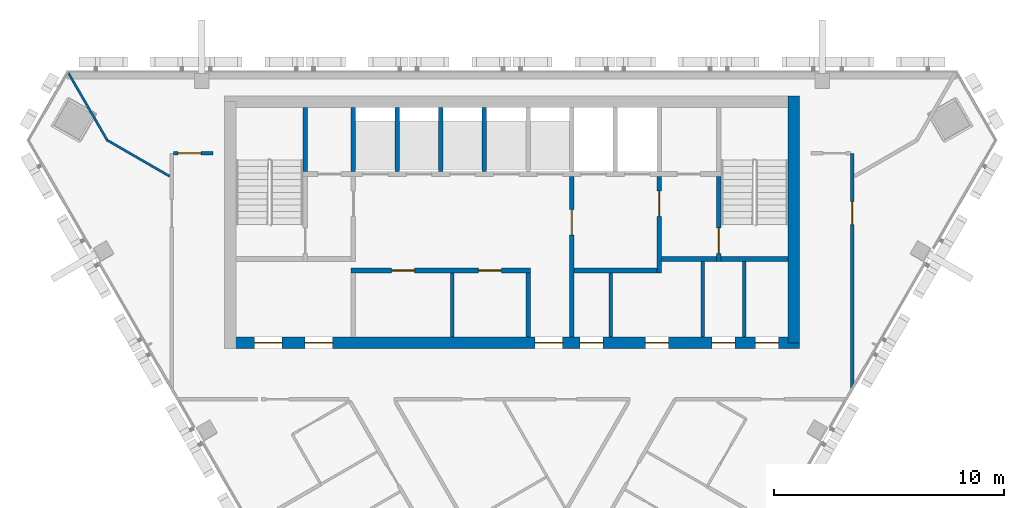
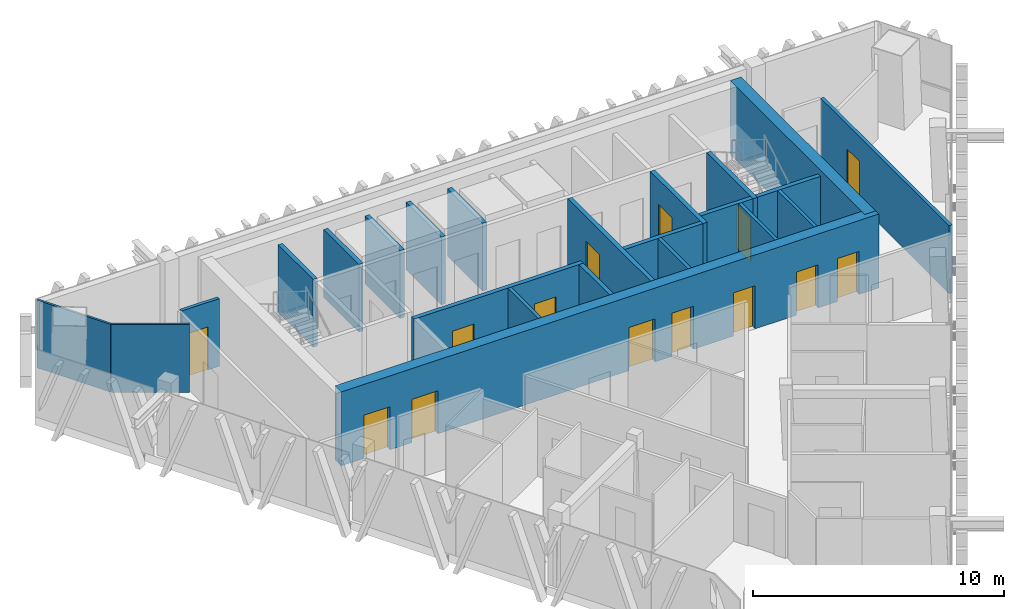
# One storey, part 7 of 12: 23 walls, 14 doors, 14 openings.
"""IFC4 building model written with IfcOpenShell, lengths in metres."""

from ifc_helpers import new_model, si_unit, direction, frame, frame_2d, origin, place, context, subcontext, project, spatial, rectangle, extrude, material, layer, layer_set, type_object, element, fill, save


model = new_model("IFC4")

# Units and contexts
model_context = context("Model", 3, precision=1e-05, world=origin(), true_north=direction((0.0, 1.0)))
body_context = subcontext(model_context, "Body", "Model", "MODEL_VIEW")
ifc_project = project(units=[si_unit("LENGTHUNIT", "METRE"), si_unit("AREAUNIT", "SQUARE_METRE"), si_unit("VOLUMEUNIT", "CUBIC_METRE"), si_unit("PLANEANGLEUNIT", "RADIAN"), si_unit("MASSUNIT", "GRAM", prefix="KILO")], contexts=[model_context])

# Site, building, storey
site_placement = place(None, origin())
site = spatial("IfcSite", under=ifc_project, at=site_placement, CompositionType="ELEMENT")
building_placement = place(site_placement, origin())
building = spatial("IfcBuilding", under=site, at=building_placement, Name="Altiplano Prism Tower", CompositionType="ELEMENT")
storey_placement = place(building_placement, frame((0.0, 0.0, 331.0)))
storey = spatial("IfcBuildingStorey", under=building, at=storey_placement, Name="L86", CompositionType="ELEMENT", Elevation=331.0)

# Wall, openings, doors
ifc_material_1 = material(Name="Concrete C60/75", Category="concrete")
ifc_layer_1 = layer(ifc_material_1, 0.5)
ifc_layer_set_1 = layer_set([ifc_layer_1], Name="Concrete C60/75")
wall_type_1 = type_object("IfcWallType", Name="Core wall 500", PredefinedType="SHEAR", material=ifc_layer_set_1)
wall_1_placement = place(storey_placement, frame((72.75, 93.14990234375, 0.0), z_axis=(0.0, 0.0, 1.0), x_axis=(1.0, 0.0, 0.0)))
wall_1 = element("IfcWall", 1, at=wall_1_placement, inside=storey, type_object=wall_type_1, Name="Core wall S L86", PredefinedType="SHEAR", context=body_context, shape_type="SweptSolid", body=[
    extrude(rectangle(XDim=24.75, YDim=0.5, at=frame_2d((12.375, 0.0))), origin(), (0.0, 0.0, 1.0), 3.60009765625),
])
opening_1_placement = place(wall_1_placement, frame((1.050048828125, 0.0, 0.0)))
opening_1 = element("IfcOpeningElement", 2, at=opening_1_placement, cuts=wall_1, Name="Opening D3805", PredefinedType="OPENING", context=body_context, shape_type="SweptSolid", body=[
    extrude(rectangle(XDim=1.199951171875, YDim=2.10009765625, at=frame_2d((0.60009765625, 1.050048828125))), frame((0.0, 0.260498046875, 0.0), z_axis=(0.0, -1.0, 0.0), x_axis=(1.0, 0.0, 0.0)), (0.0, 0.0, 1.0), 0.52099609375),
])
opening_2_placement = place(wall_1_placement, frame((3.25, 0.0, 0.0)))
opening_2 = element("IfcOpeningElement", 3, at=opening_2_placement, cuts=wall_1, Name="Opening D3806", PredefinedType="OPENING", context=body_context, shape_type="SweptSolid", body=[
    extrude(rectangle(XDim=1.199951171875, YDim=2.10009765625, at=frame_2d((0.60009765625, 1.050048828125))), frame((0.0, 0.260498046875, 0.0), z_axis=(0.0, -1.0, 0.0), x_axis=(1.0, 0.0, 0.0)), (0.0, 0.0, 1.0), 0.52099609375),
])
opening_3_placement = place(wall_1_placement, frame((13.25, 0.0, 0.0)))
opening_3 = element("IfcOpeningElement", 4, at=opening_3_placement, cuts=wall_1, Name="Opening D3807", PredefinedType="OPENING", context=body_context, shape_type="SweptSolid", body=[
    extrude(rectangle(XDim=1.199951171875, YDim=2.10009765625, at=frame_2d((0.60009765625, 1.050048828125))), frame((0.0, 0.260498046875, 0.0), z_axis=(0.0, -1.0, 0.0), x_axis=(1.0, 0.0, 0.0)), (0.0, 0.0, 1.0), 0.52099609375),
])
opening_4_placement = place(wall_1_placement, frame((15.21240234375, 0.0, 0.0)))
opening_4 = element("IfcOpeningElement", 5, at=opening_4_placement, cuts=wall_1, Name="Opening D3810", PredefinedType="OPENING", context=body_context, shape_type="SweptSolid", body=[
    extrude(rectangle(XDim=1.0, YDim=2.10009765625, at=frame_2d((0.5, 1.050048828125))), frame((0.0, 0.260498046875, 0.0), z_axis=(0.0, -1.0, 0.0), x_axis=(1.0, 0.0, 0.0)), (0.0, 0.0, 1.0), 0.52099609375),
])
opening_5_placement = place(wall_1_placement, frame((18.050048828125, 0.0, 0.0)))
opening_5 = element("IfcOpeningElement", 6, at=opening_5_placement, cuts=wall_1, Name="Opening D3811", PredefinedType="OPENING", context=body_context, shape_type="SweptSolid", body=[
    extrude(rectangle(XDim=1.0, YDim=2.10009765625, at=frame_2d((0.5, 1.050048828125))), frame((0.0, 0.260498046875, 0.0), z_axis=(0.0, -1.0, 0.0), x_axis=(1.0, 0.0, 0.0)), (0.0, 0.0, 1.0), 0.52099609375),
])
opening_6_placement = place(wall_1_placement, frame((20.949951171875, 0.0, 0.0)))
opening_6 = element("IfcOpeningElement", 7, at=opening_6_placement, cuts=wall_1, Name="Opening D3812", PredefinedType="OPENING", context=body_context, shape_type="SweptSolid", body=[
    extrude(rectangle(XDim=1.0, YDim=2.10009765625, at=frame_2d((0.5, 1.050048828125))), frame((0.0, 0.260498046875, 0.0), z_axis=(0.0, -1.0, 0.0), x_axis=(1.0, 0.0, 0.0)), (0.0, 0.0, 1.0), 0.52099609375),
])
opening_7_placement = place(wall_1_placement, frame((22.83740234375, 0.0, 0.0)))
opening_7 = element("IfcOpeningElement", 8, at=opening_7_placement, cuts=wall_1, Name="Opening D3813", PredefinedType="OPENING", context=body_context, shape_type="SweptSolid", body=[
    extrude(rectangle(XDim=1.0, YDim=2.10009765625, at=frame_2d((0.5, 1.050048828125))), frame((0.0, 0.260498046875, 0.0), z_axis=(0.0, -1.0, 0.0), x_axis=(1.0, 0.0, 0.0)), (0.0, 0.0, 1.0), 0.52099609375),
])
ifc_material_2 = material(Name="Fire-rated steel door", Category="steel")
door_type_1 = type_object("IfcDoorType", Name="Core room door 1000 x 2100", OperationType="NOTDEFINED", PredefinedType="NOTDEFINED", material=ifc_material_2)
door_1_placement = place(opening_4_placement, origin())
door_1 = element("IfcDoor", 9, at=door_1_placement, inside=storey, type_object=door_type_1, Name="Core room door D3810", OperationType="SINGLE_SWING_RIGHT", OverallHeight=2.10009765625, OverallWidth=1.0, PredefinedType="NOTDEFINED", context=body_context, shape_type="SweptSolid", body=[
    extrude(rectangle(XDim=1.0, YDim=2.10009765625, at=frame_2d((0.5, 1.050048828125))), frame((0.0, 0.02490234375, 0.0), z_axis=(0.0, -1.0, 0.0), x_axis=(1.0, 0.0, 0.0)), (0.0, 0.0, 1.0), 0.050048828125),
])
fill(opening_4, door_1)
door_2_placement = place(opening_5_placement, origin())
door_2 = element("IfcDoor", 10, at=door_2_placement, inside=storey, type_object=door_type_1, Name="Core room door D3811", OperationType="SINGLE_SWING_LEFT", OverallHeight=2.10009765625, OverallWidth=1.0, PredefinedType="NOTDEFINED", context=body_context, shape_type="SweptSolid", body=[
    extrude(rectangle(XDim=1.0, YDim=2.10009765625, at=frame_2d((0.5, 1.050048828125))), frame((0.0, 0.02490234375, 0.0), z_axis=(0.0, -1.0, 0.0), x_axis=(1.0, 0.0, 0.0)), (0.0, 0.0, 1.0), 0.050048828125),
])
fill(opening_5, door_2)
door_3_placement = place(opening_6_placement, origin())
door_3 = element("IfcDoor", 11, at=door_3_placement, inside=storey, type_object=door_type_1, Name="Core room door D3812", OperationType="SINGLE_SWING_RIGHT", OverallHeight=2.10009765625, OverallWidth=1.0, PredefinedType="NOTDEFINED", context=body_context, shape_type="SweptSolid", body=[
    extrude(rectangle(XDim=1.0, YDim=2.10009765625, at=frame_2d((0.5, 1.050048828125))), frame((0.0, 0.02490234375, 0.0), z_axis=(0.0, -1.0, 0.0), x_axis=(1.0, 0.0, 0.0)), (0.0, 0.0, 1.0), 0.050048828125),
])
fill(opening_6, door_3)
door_4_placement = place(opening_7_placement, origin())
door_4 = element("IfcDoor", 12, at=door_4_placement, inside=storey, type_object=door_type_1, Name="Core room door D3813", OperationType="SINGLE_SWING_LEFT", OverallHeight=2.10009765625, OverallWidth=1.0, PredefinedType="NOTDEFINED", context=body_context, shape_type="SweptSolid", body=[
    extrude(rectangle(XDim=1.0, YDim=2.10009765625, at=frame_2d((0.5, 1.050048828125))), frame((0.0, 0.02490234375, 0.0), z_axis=(0.0, -1.0, 0.0), x_axis=(1.0, 0.0, 0.0)), (0.0, 0.0, 1.0), 0.050048828125),
])
fill(opening_7, door_4)
door_type_2 = type_object("IfcDoorType", Name="Lobby fire door 1200 x 2100", OperationType="NOTDEFINED", PredefinedType="NOTDEFINED", material=ifc_material_2)
door_5_placement = place(opening_1_placement, origin())
door_5 = element("IfcDoor", 13, at=door_5_placement, inside=storey, type_object=door_type_2, Name="Lobby fire door D3805", OperationType="SINGLE_SWING_RIGHT", OverallHeight=2.10009765625, OverallWidth=1.199951171875, PredefinedType="NOTDEFINED", context=body_context, shape_type="SweptSolid", body=[
    extrude(rectangle(XDim=1.199951171875, YDim=2.10009765625, at=frame_2d((0.60009765625, 1.050048828125))), frame((0.0, 0.02490234375, 0.0), z_axis=(0.0, -1.0, 0.0), x_axis=(1.0, 0.0, 0.0)), (0.0, 0.0, 1.0), 0.050048828125),
])
fill(opening_1, door_5)
door_6_placement = place(opening_2_placement, origin())
door_6 = element("IfcDoor", 14, at=door_6_placement, inside=storey, type_object=door_type_2, Name="Lobby fire door D3806", OperationType="SINGLE_SWING_LEFT", OverallHeight=2.10009765625, OverallWidth=1.199951171875, PredefinedType="NOTDEFINED", context=body_context, shape_type="SweptSolid", body=[
    extrude(rectangle(XDim=1.199951171875, YDim=2.10009765625, at=frame_2d((0.60009765625, 1.050048828125))), frame((0.0, 0.02490234375, 0.0), z_axis=(0.0, -1.0, 0.0), x_axis=(1.0, 0.0, 0.0)), (0.0, 0.0, 1.0), 0.050048828125),
])
fill(opening_2, door_6)
door_7_placement = place(opening_3_placement, origin())
door_7 = element("IfcDoor", 15, at=door_7_placement, inside=storey, type_object=door_type_2, Name="Lobby fire door D3807", OperationType="SINGLE_SWING_RIGHT", OverallHeight=2.10009765625, OverallWidth=1.199951171875, PredefinedType="NOTDEFINED", context=body_context, shape_type="SweptSolid", body=[
    extrude(rectangle(XDim=1.199951171875, YDim=2.10009765625, at=frame_2d((0.60009765625, 1.050048828125))), frame((0.0, 0.02490234375, 0.0), z_axis=(0.0, -1.0, 0.0), x_axis=(1.0, 0.0, 0.0)), (0.0, 0.0, 1.0), 0.050048828125),
])
fill(opening_3, door_7)

# Walls
wall_2_placement = place(storey_placement, frame((97.25, 93.14990234375, 0.0), z_axis=(0.0, 0.0, 1.0), x_axis=(0.0, 1.0, 0.0)))
element("IfcWall", 16, at=wall_2_placement, inside=storey, type_object=wall_type_1, Name="Core wall E L86", PredefinedType="SHEAR", context=body_context, shape_type="SweptSolid", body=[
    extrude(rectangle(XDim=10.75, YDim=0.5, at=frame_2d((5.375, 0.0))), origin(), (0.0, 0.0, 1.0), 3.60009765625),
])
ifc_material_3 = material(Name="Plasterboard on steel stud", Category="steel")
ifc_layer_2 = layer(ifc_material_3, 0.10009765625)
ifc_layer_set_2 = layer_set([ifc_layer_2], Name="Plasterboard on steel stud")
wall_type_2 = type_object("IfcWallType", Name="Partition 100 wet", PredefinedType="PARTITIONING", material=ifc_layer_set_2)
wall_3_placement = place(storey_placement, frame((70.099609375, 100.40234375, 0.0), z_axis=(0.0, 0.0, 1.0), x_axis=(-0.866009076391, 0.500028278809, 0.0)))
element("IfcWall", 17, at=wall_3_placement, inside=storey, type_object=wall_type_2, Name="Partition P03 L86 016", PredefinedType="PARTITIONING", context=body_context, shape_type="SweptSolid", body=[
    extrude(rectangle(XDim=3.132568359375, YDim=0.10009765625, at=frame_2d((1.56640625, 0.0))), origin(), (0.0, 0.0, 1.0), 3.300048828125),
])
wall_4_placement = place(storey_placement, frame((67.38671875, 101.96875, 0.0), z_axis=(0.0, 0.0, 1.0), x_axis=(-0.500017996867, 0.866015013039, 0.0)))
element("IfcWall", 18, at=wall_4_placement, inside=storey, type_object=wall_type_2, Name="Partition P03 L86 017", PredefinedType="PARTITIONING", context=body_context, shape_type="SweptSolid", body=[
    extrude(rectangle(XDim=3.384765625, YDim=0.10009765625, at=frame_2d((1.6923828125, 0.0))), origin(), (0.0, 0.0, 1.0), 3.300048828125),
])

# Wall, opening, door
ifc_layer_3 = layer(ifc_material_3, 0.14990234375)
ifc_layer_set_3 = layer_set([ifc_layer_3], Name="Plasterboard on steel stud")
wall_type_3 = type_object("IfcWallType", Name="Partition 150 corridor", PredefinedType="PARTITIONING", material=ifc_layer_set_3)
wall_5_placement = place(storey_placement, frame((99.800048828125, 91.1533203125, 0.0), z_axis=(0.0, 0.0, 1.0), x_axis=(4.7648544e-05, 0.999999998865, 0.0)))
wall_5 = element("IfcWall", 19, at=wall_5_placement, inside=storey, type_object=wall_type_3, Name="Partition P06 L86 010", PredefinedType="PARTITIONING", context=body_context, shape_type="SweptSolid", body=[
    extrude(rectangle(XDim=10.24755859375, YDim=0.14990234375, at=frame_2d((5.123779296875, 0.0))), origin(), (0.0, 0.0, 1.0), 3.300048828125),
])
opening_8_placement = place(wall_5_placement, frame((7.138916015625, 0.0, 0.0)))
opening_8 = element("IfcOpeningElement", 20, at=opening_8_placement, cuts=wall_5, Name="Opening D2502", PredefinedType="OPENING", context=body_context, shape_type="SweptSolid", body=[
    extrude(rectangle(XDim=1.0, YDim=2.10009765625, at=frame_2d((0.5, 1.050048828125))), frame((0.0, 0.08544921875, 0.0), z_axis=(0.0, -1.0, 0.0), x_axis=(1.0, 0.0, 0.0)), (0.0, 0.0, 1.0), 0.1708984375),
])
ifc_material_4 = material(Name="Timber", Category="wood")
door_type_3 = type_object("IfcDoorType", Name="Room door 1000 x 2100", OperationType="NOTDEFINED", PredefinedType="NOTDEFINED", material=ifc_material_4)
door_8_placement = place(opening_8_placement, origin())
door_8 = element("IfcDoor", 21, at=door_8_placement, inside=storey, type_object=door_type_3, Name="Door D2502", OperationType="SINGLE_SWING_LEFT", OverallHeight=2.10009765625, OverallWidth=1.0, PredefinedType="NOTDEFINED", context=body_context, shape_type="SweptSolid", body=[
    extrude(rectangle(XDim=1.0, YDim=2.10009765625, at=frame_2d((0.5, 1.050048828125))), frame((0.0, 0.02490234375, 0.0), z_axis=(0.0, -1.0, 0.0), x_axis=(1.0, 0.0, 0.0)), (0.0, 0.0, 1.0), 0.050048828125),
])
fill(opening_8, door_8)

wall_6_placement = place(storey_placement, frame((72.0, 101.40087890625, 0.0), z_axis=(0.0, 0.0, 1.0), x_axis=(-1.0, 0.0, 0.0)))
wall_6 = element("IfcWall", 22, at=wall_6_placement, inside=storey, type_object=wall_type_3, Name="Partition P06 L86 012", PredefinedType="PARTITIONING", context=body_context, shape_type="SweptSolid", body=[
    extrude(rectangle(XDim=1.7255859375, YDim=0.14990234375, at=frame_2d((0.86279296875, 0.0))), origin(), (0.0, 0.0, 1.0), 3.300048828125),
])
opening_9_placement = place(wall_6_placement, frame((0.52490234375, 0.0, 0.0)))
opening_9 = element("IfcOpeningElement", 23, at=opening_9_placement, cuts=wall_6, Name="Opening D2504", PredefinedType="OPENING", context=body_context, shape_type="SweptSolid", body=[
    extrude(rectangle(XDim=1.0, YDim=2.10009765625, at=frame_2d((0.5, 1.050048828125))), frame((0.0, 0.08544921875, 0.0), z_axis=(0.0, -1.0, 0.0), x_axis=(1.0, 0.0, 0.0)), (0.0, 0.0, 1.0), 0.1708984375),
])
door_type_4 = type_object("IfcDoorType", Name="Store door 1000 x 2100", OperationType="NOTDEFINED", PredefinedType="NOTDEFINED", material=ifc_material_4)
door_9_placement = place(opening_9_placement, origin())
door_9 = element("IfcDoor", 24, at=door_9_placement, inside=storey, type_object=door_type_4, Name="Door D2504", OperationType="SINGLE_SWING_RIGHT", OverallHeight=2.10009765625, OverallWidth=1.0, PredefinedType="NOTDEFINED", context=body_context, shape_type="SweptSolid", body=[
    extrude(rectangle(XDim=1.0, YDim=2.10009765625, at=frame_2d((0.5, 1.050048828125))), frame((0.0, 0.02490234375, 0.0), z_axis=(0.0, -1.0, 0.0), x_axis=(1.0, 0.0, 0.0)), (0.0, 0.0, 1.0), 0.050048828125),
])
fill(opening_9, door_9)

# Walls
ifc_material_5 = material(Name="Fire-rated gypsum board partition")
ifc_layer_4 = layer(ifc_material_5, 0.14990234375)
ifc_layer_set_4 = layer_set([ifc_layer_4], Name="Fire-rated gypsum board partition")
wall_type_4 = type_object("IfcWallType", Name="Room partition 150", PredefinedType="PARTITIONING", material=ifc_layer_set_4)
for number, where, z_axis, x_axis, name in (
    (25, (82.39990234375, 93.39990234375, 0.0), (0.0, 0.0, 1.0), (0.0, 1.0, 0.0), "Room partition L86"),
    (26, (89.300048828125, 93.39990234375, 0.0), (0.0, 0.0, 1.0), (0.0, 1.0, 0.0), "Room partition L86"),
):
    element("IfcWall", number, at=place(storey_placement, frame(where, z_axis=z_axis, x_axis=x_axis)), inside=storey, type_object=wall_type_4, Name=name, PredefinedType="PARTITIONING", context=body_context, shape_type="SweptSolid", body=[
        extrude(rectangle(XDim=2.800048828125, YDim=0.14990234375, at=frame_2d((1.39990234375, 0.0))), origin(), (0.0, 0.0, 1.0), 3.300048828125),
    ])
for number, where, z_axis, x_axis, name in (
    (27, (93.300048828125, 93.39990234375, 0.0), (0.0, 0.0, 1.0), (0.0, 1.0, 0.0), "Room partition L86"),
    (28, (95.10009765625, 93.39990234375, 0.0), (0.0, 0.0, 1.0), (0.0, 1.0, 0.0), "Room partition L86"),
):
    element("IfcWall", number, at=place(storey_placement, frame(where, z_axis=z_axis, x_axis=x_axis)), inside=storey, type_object=wall_type_4, Name=name, PredefinedType="PARTITIONING", context=body_context, shape_type="SweptSolid", body=[
        extrude(rectangle(XDim=3.300048828125, YDim=0.14990234375, at=frame_2d((1.64990234375, 0.0))), origin(), (0.0, 0.0, 1.0), 3.300048828125),
    ])
ifc_layer_5 = layer(ifc_material_1, 0.199951171875)
ifc_layer_set_5 = layer_set([ifc_layer_5], Name="Concrete C60/75")
wall_type_5 = type_object("IfcWallType", Name="Shaft wall 200", PredefinedType="SOLIDWALL", material=ifc_layer_set_5)
for number, where, z_axis, x_axis, name in (
    (29, (78.10009765625, 100.60009765625, 0.0), (0.0, 0.0, 1.0), (0.0, 1.0, 0.0), "Shaft wall L86"),
    (30, (80.0, 100.60009765625, 0.0), (0.0, 0.0, 1.0), (0.0, 1.0, 0.0), "Shaft wall L86"),
    (31, (81.89990234375, 100.60009765625, 0.0), (0.0, 0.0, 1.0), (0.0, 1.0, 0.0), "Shaft wall L86"),
    (32, (83.800048828125, 100.60009765625, 0.0), (0.0, 0.0, 1.0), (0.0, 1.0, 0.0), "Shaft wall L86"),
):
    element("IfcWall", number, at=place(storey_placement, frame(where, z_axis=z_axis, x_axis=x_axis)), inside=storey, type_object=wall_type_5, Name=name, PredefinedType="SOLIDWALL", context=body_context, shape_type="SweptSolid", body=[
        extrude(rectangle(XDim=2.7998046875, YDim=0.199951171875, at=frame_2d((1.39990234375, 0.0))), origin(), (0.0, 0.0, 1.0), 3.300048828125),
    ])

# Wall, opening, door
ifc_layer_6 = layer(ifc_material_1, 0.199951171875)
ifc_layer_set_6 = layer_set([ifc_layer_6], Name="Concrete C60/75")
wall_type_6 = type_object("IfcWallType", Name="Stair wall 200", PredefinedType="SOLIDWALL", material=ifc_layer_set_6)
wall_7_placement = place(storey_placement, frame((94.0, 96.699951171875, 0.0), z_axis=(0.0, 0.0, 1.0), x_axis=(0.0, 1.0, 0.0)))
wall_7 = element("IfcWall", 33, at=wall_7_placement, inside=storey, type_object=wall_type_6, Name="Stair wall L86", PredefinedType="SOLIDWALL", context=body_context, shape_type="SweptSolid", body=[
    extrude(rectangle(XDim=3.699951171875, YDim=0.199951171875, at=frame_2d((1.85009765625, 0.0))), origin(), (0.0, 0.0, 1.0), 3.300048828125),
])
opening_10_placement = place(wall_7_placement, frame((0.35009765625, 0.0, 0.0)))
opening_10 = element("IfcOpeningElement", 34, at=opening_10_placement, cuts=wall_7, Name="Opening D3801", PredefinedType="OPENING", context=body_context, shape_type="SweptSolid", body=[
    extrude(rectangle(XDim=1.10009765625, YDim=2.10009765625, at=frame_2d((0.550048828125, 1.050048828125))), frame((0.0, 0.1103515625, 0.0), z_axis=(0.0, -1.0, 0.0), x_axis=(1.0, 0.0, 0.0)), (0.0, 0.0, 1.0), 0.220947265625),
])
door_type_5 = type_object("IfcDoorType", Name="Stair fire door 1100 x 2100", OperationType="NOTDEFINED", PredefinedType="NOTDEFINED", material=ifc_material_2)
door_10_placement = place(opening_10_placement, origin())
door_10 = element("IfcDoor", 35, at=door_10_placement, inside=storey, type_object=door_type_5, Name="Stair fire door D3801", OperationType="SINGLE_SWING_LEFT", OverallHeight=2.10009765625, OverallWidth=1.10009765625, PredefinedType="NOTDEFINED", context=body_context, shape_type="SweptSolid", body=[
    extrude(rectangle(XDim=1.10009765625, YDim=2.10009765625, at=frame_2d((0.550048828125, 1.050048828125))), frame((0.0, 0.02490234375, 0.0), z_axis=(0.0, -1.0, 0.0), x_axis=(1.0, 0.0, 0.0)), (0.0, 0.0, 1.0), 0.050048828125),
])
fill(opening_10, door_10)

# Walls
wall_8_placement = place(storey_placement, frame((94.10009765625, 96.800048828125, 0.0), z_axis=(0.0, 0.0, 1.0), x_axis=(1.0, 0.0, 0.0)))
element("IfcWall", 36, at=wall_8_placement, inside=storey, type_object=wall_type_6, Name="Stair wall L86", PredefinedType="SOLIDWALL", context=body_context, shape_type="SweptSolid", body=[
    extrude(rectangle(XDim=2.89990234375, YDim=0.199951171875, at=frame_2d((1.449951171875, 0.0))), origin(), (0.0, 0.0, 1.0), 3.300048828125),
])
wall_9_placement = place(storey_placement, frame((76.0, 100.60009765625, 0.0), z_axis=(0.0, 0.0, 1.0), x_axis=(0.0, 1.0, 0.0)))
element("IfcWall", 37, at=wall_9_placement, inside=storey, type_object=wall_type_6, Name="Stair wall L86", PredefinedType="SOLIDWALL", context=body_context, shape_type="SweptSolid", body=[
    extrude(rectangle(XDim=2.7998046875, YDim=0.199951171875, at=frame_2d((1.39990234375, 0.0))), origin(), (0.0, 0.0, 1.0), 3.300048828125),
])
ifc_layer_7 = layer(ifc_material_1, 0.199951171875)
ifc_layer_set_7 = layer_set([ifc_layer_7], Name="Concrete C60/75")
wall_type_7 = type_object("IfcWallType", Name="Vestibule wall 200", PredefinedType="PARTITIONING", material=ifc_layer_set_7)
wall_10_placement = place(storey_placement, frame((85.699951171875, 93.39990234375, 0.0), z_axis=(0.0, 0.0, 1.0), x_axis=(0.0, 1.0, 0.0)))
element("IfcWall", 38, at=wall_10_placement, inside=storey, type_object=wall_type_7, Name="Vestibule wall L86", PredefinedType="PARTITIONING", context=body_context, shape_type="SweptSolid", body=[
    extrude(rectangle(XDim=2.800048828125, YDim=0.199951171875, at=frame_2d((1.39990234375, 0.0))), origin(), (0.0, 0.0, 1.0), 3.300048828125),
])

# Wall, opening, door
wall_11_placement = place(storey_placement, frame((87.60009765625, 93.39990234375, 0.0), z_axis=(0.0, 0.0, 1.0), x_axis=(0.0, 1.0, 0.0)))
wall_11 = element("IfcWall", 39, at=wall_11_placement, inside=storey, type_object=wall_type_7, Name="Vestibule wall L86", PredefinedType="PARTITIONING", context=body_context, shape_type="SweptSolid", body=[
    extrude(rectangle(XDim=7.0, YDim=0.199951171875, at=frame_2d((3.5, 0.0))), origin(), (0.0, 0.0, 1.0), 3.300048828125),
])
opening_11_placement = place(wall_11_placement, frame((4.449951171875, 0.0, 0.0)))
opening_11 = element("IfcOpeningElement", 40, at=opening_11_placement, cuts=wall_11, Name="Opening D3803", PredefinedType="OPENING", context=body_context, shape_type="SweptSolid", body=[
    extrude(rectangle(XDim=1.10009765625, YDim=2.10009765625, at=frame_2d((0.550048828125, 1.050048828125))), frame((0.0, 0.1103515625, 0.0), z_axis=(0.0, -1.0, 0.0), x_axis=(1.0, 0.0, 0.0)), (0.0, 0.0, 1.0), 0.220947265625),
])
door_type_6 = type_object("IfcDoorType", Name="Vestibule fire door 1100 x 2100", OperationType="NOTDEFINED", PredefinedType="NOTDEFINED", material=ifc_material_2)
door_11_placement = place(opening_11_placement, origin())
door_11 = element("IfcDoor", 41, at=door_11_placement, inside=storey, type_object=door_type_6, Name="Vestibule fire door D3803", OperationType="SINGLE_SWING_RIGHT", OverallHeight=2.10009765625, OverallWidth=1.10009765625, PredefinedType="NOTDEFINED", context=body_context, shape_type="SweptSolid", body=[
    extrude(rectangle(XDim=1.10009765625, YDim=2.10009765625, at=frame_2d((0.550048828125, 1.050048828125))), frame((0.0, 0.02490234375, 0.0), z_axis=(0.0, -1.0, 0.0), x_axis=(1.0, 0.0, 0.0)), (0.0, 0.0, 1.0), 0.050048828125),
])
fill(opening_11, door_11)

# Wall, openings, doors
wall_12_placement = place(storey_placement, frame((78.0, 96.300048828125, 0.0), z_axis=(0.0, 0.0, 1.0), x_axis=(1.0, 0.0, 0.0)))
wall_12 = element("IfcWall", 42, at=wall_12_placement, inside=storey, type_object=wall_type_7, Name="Vestibule wall L86", PredefinedType="PARTITIONING", context=body_context, shape_type="SweptSolid", body=[
    extrude(rectangle(XDim=7.800048828125, YDim=0.199951171875, at=frame_2d((3.89990234375, 0.0))), origin(), (0.0, 0.0, 1.0), 3.300048828125),
])
opening_12_placement = place(wall_12_placement, frame((1.762451171875, 0.0, 0.0)))
opening_12 = element("IfcOpeningElement", 43, at=opening_12_placement, cuts=wall_12, Name="Opening D3814", PredefinedType="OPENING", context=body_context, shape_type="SweptSolid", body=[
    extrude(rectangle(XDim=1.0, YDim=2.10009765625, at=frame_2d((0.5, 1.050048828125))), frame((0.0, 0.1103515625, 0.0), z_axis=(0.0, -1.0, 0.0), x_axis=(1.0, 0.0, 0.0)), (0.0, 0.0, 1.0), 0.220947265625),
])
opening_13_placement = place(wall_12_placement, frame((5.53759765625, 0.0, 0.0)))
opening_13 = element("IfcOpeningElement", 44, at=opening_13_placement, cuts=wall_12, Name="Opening D3815", PredefinedType="OPENING", context=body_context, shape_type="SweptSolid", body=[
    extrude(rectangle(XDim=1.0, YDim=2.10009765625, at=frame_2d((0.5, 1.050048828125))), frame((0.0, 0.1103515625, 0.0), z_axis=(0.0, -1.0, 0.0), x_axis=(1.0, 0.0, 0.0)), (0.0, 0.0, 1.0), 0.220947265625),
])
door_12_placement = place(opening_12_placement, origin())
door_12 = element("IfcDoor", 45, at=door_12_placement, inside=storey, type_object=door_type_1, Name="Core room door D3814", OperationType="SINGLE_SWING_RIGHT", OverallHeight=2.10009765625, OverallWidth=1.0, PredefinedType="NOTDEFINED", context=body_context, shape_type="SweptSolid", body=[
    extrude(rectangle(XDim=1.0, YDim=2.10009765625, at=frame_2d((0.5, 1.050048828125))), frame((0.0, 0.02490234375, 0.0), z_axis=(0.0, -1.0, 0.0), x_axis=(1.0, 0.0, 0.0)), (0.0, 0.0, 1.0), 0.050048828125),
])
fill(opening_12, door_12)
door_13_placement = place(opening_13_placement, origin())
door_13 = element("IfcDoor", 46, at=door_13_placement, inside=storey, type_object=door_type_1, Name="Core room door D3815", OperationType="SINGLE_SWING_RIGHT", OverallHeight=2.10009765625, OverallWidth=1.0, PredefinedType="NOTDEFINED", context=body_context, shape_type="SweptSolid", body=[
    extrude(rectangle(XDim=1.0, YDim=2.10009765625, at=frame_2d((0.5, 1.050048828125))), frame((0.0, 0.02490234375, 0.0), z_axis=(0.0, -1.0, 0.0), x_axis=(1.0, 0.0, 0.0)), (0.0, 0.0, 1.0), 0.050048828125),
])
fill(opening_13, door_13)

# Wall
wall_13_placement = place(storey_placement, frame((87.699951171875, 96.300048828125, 0.0), z_axis=(0.0, 0.0, 1.0), x_axis=(1.0, 0.0, 0.0)))
element("IfcWall", 47, at=wall_13_placement, inside=storey, type_object=wall_type_7, Name="Vestibule wall L86", PredefinedType="PARTITIONING", context=body_context, shape_type="SweptSolid", body=[
    extrude(rectangle(XDim=3.60009765625, YDim=0.199951171875, at=frame_2d((1.800048828125, 0.0))), origin(), (0.0, 0.0, 1.0), 3.300048828125),
])

# Wall, opening, door
wall_14_placement = place(storey_placement, frame((91.39990234375, 96.199951171875, 0.0), z_axis=(0.0, 0.0, 1.0), x_axis=(0.0, 1.0, 0.0)))
wall_14 = element("IfcWall", 48, at=wall_14_placement, inside=storey, type_object=wall_type_7, Name="Vestibule wall L86", PredefinedType="PARTITIONING", context=body_context, shape_type="SweptSolid", body=[
    extrude(rectangle(XDim=4.199951171875, YDim=0.199951171875, at=frame_2d((2.10009765625, 0.0))), origin(), (0.0, 0.0, 1.0), 3.300048828125),
])
opening_14_placement = place(wall_14_placement, frame((2.449951171875, 0.0, 0.0)))
opening_14 = element("IfcOpeningElement", 49, at=opening_14_placement, cuts=wall_14, Name="Opening D3804", PredefinedType="OPENING", context=body_context, shape_type="SweptSolid", body=[
    extrude(rectangle(XDim=1.10009765625, YDim=2.10009765625, at=frame_2d((0.550048828125, 1.050048828125))), frame((0.0, 0.1103515625, 0.0), z_axis=(0.0, -1.0, 0.0), x_axis=(1.0, 0.0, 0.0)), (0.0, 0.0, 1.0), 0.220947265625),
])
door_14_placement = place(opening_14_placement, origin())
door_14 = element("IfcDoor", 50, at=door_14_placement, inside=storey, type_object=door_type_6, Name="Vestibule fire door D3804", OperationType="SINGLE_SWING_LEFT", OverallHeight=2.10009765625, OverallWidth=1.10009765625, PredefinedType="NOTDEFINED", context=body_context, shape_type="SweptSolid", body=[
    extrude(rectangle(XDim=1.10009765625, YDim=2.10009765625, at=frame_2d((0.550048828125, 1.050048828125))), frame((0.0, 0.02490234375, 0.0), z_axis=(0.0, -1.0, 0.0), x_axis=(1.0, 0.0, 0.0)), (0.0, 0.0, 1.0), 0.050048828125),
])
fill(opening_14, door_14)

# Wall
wall_15_placement = place(storey_placement, frame((91.5, 96.800048828125, 0.0), z_axis=(0.0, 0.0, 1.0), x_axis=(1.0, 0.0, 0.0)))
element("IfcWall", 51, at=wall_15_placement, inside=storey, type_object=wall_type_7, Name="Vestibule wall L86", PredefinedType="PARTITIONING", context=body_context, shape_type="SweptSolid", body=[
    extrude(rectangle(XDim=2.39990234375, YDim=0.199951171875, at=frame_2d((1.199951171875, 0.0))), origin(), (0.0, 0.0, 1.0), 3.300048828125),
])

save(model, "model.ifc")
